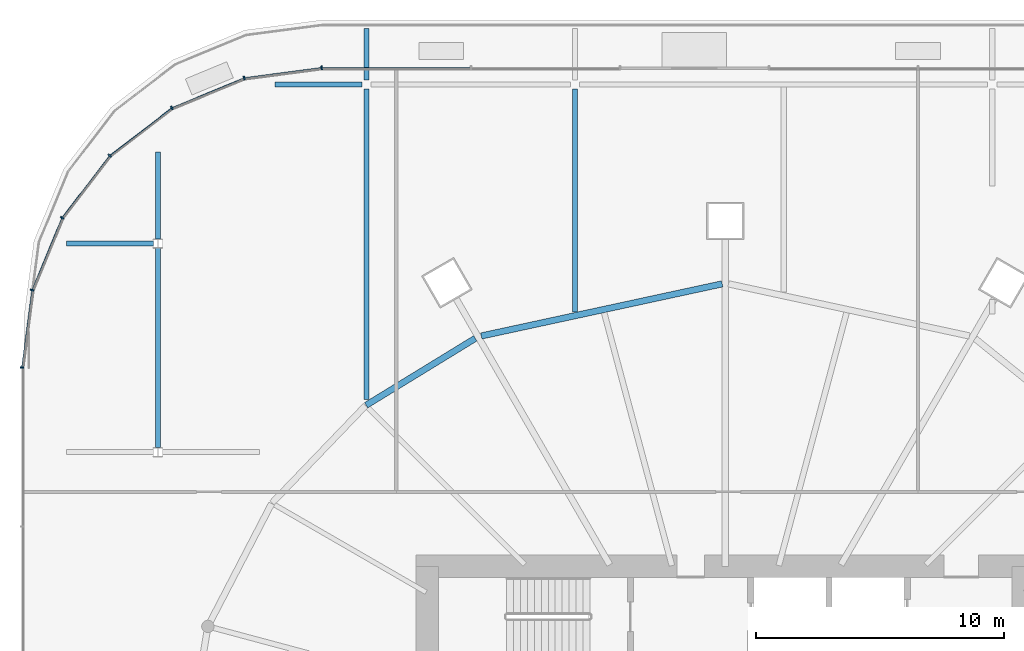
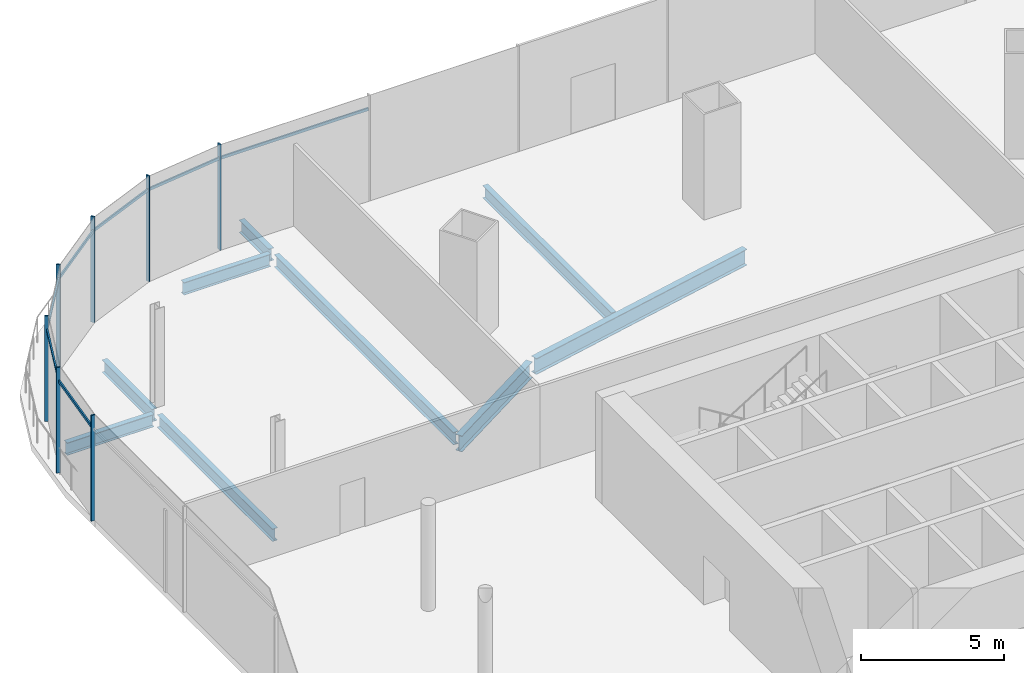
# One storey, part 17 of 52: 14 members, 9 beams, 1 element without a shape of its own.
"""IFC4 building model written with IfcOpenShell, lengths in metres."""

from ifc_helpers import new_model, si_unit, direction, frame, origin, origin_2d, place, context, subcontext, project, spatial, rectangle, i_section, extrude, material, material_profile, profile_set, type_object, element, aggregate, save


model = new_model("IFC4")

# Units and contexts
model_context = context("Model", 3, precision=1e-05, world=origin(), true_north=direction((0.0, 1.0)))
body_context = subcontext(model_context, "Body", "Model", "MODEL_VIEW")
ifc_project = project(units=[si_unit("LENGTHUNIT", "METRE"), si_unit("AREAUNIT", "SQUARE_METRE"), si_unit("VOLUMEUNIT", "CUBIC_METRE"), si_unit("PLANEANGLEUNIT", "RADIAN"), si_unit("MASSUNIT", "GRAM", prefix="KILO")], contexts=[model_context])

# Site, building, storey
site_placement = place(None, origin())
site = spatial("IfcSite", under=ifc_project, at=site_placement, CompositionType="ELEMENT")
building_placement = place(site_placement, origin())
building = spatial("IfcBuilding", under=site, at=building_placement, Name="Rimbun Link Towers", CompositionType="ELEMENT")
storey_placement = place(building_placement, frame((0.0, 0.0, 21.0)))
storey = spatial("IfcBuildingStorey", under=building, at=storey_placement, Name="L04", CompositionType="ELEMENT", Elevation=21.0)

# Curtain wall, members
ifc_material_1 = material(Name="Aluminium 6063-T6 and low-iron glass", Category="aluminium")
curtain_wall_type = type_object("IfcCurtainWallType", Name="CW3 podium shopfront", PredefinedType="NOTDEFINED", material=ifc_material_1)
curtain_wall_placement = place(storey_placement, origin())
curtain_wall = element("IfcCurtainWall", 1, at=curtain_wall_placement, inside=storey, type_object=curtain_wall_type, Name="CW3 L04 PD", PredefinedType="NOTDEFINED")
ifc_material_2 = material(Name="Aluminium 6063-T6", Category="aluminium")
ifc_material_profile_1 = material_profile(ifc_material_2, rectangle(XDim=0.14990234375, YDim=0.06005859375, at=origin_2d()), Name="MULLION 60X150")
ifc_profile_set_1 = profile_set([ifc_material_profile_1], Name="Aluminium 6063-T6")
member_type_1 = type_object("IfcMemberType", Name="CW3 mullion 60X150", PredefinedType="MULLION", material=ifc_profile_set_1)
member_1_placement = place(storey_placement, frame((-48.0048828125, 28.074951171875, 0.0), z_axis=(0.0, 0.0, 1.0), x_axis=(-0.065405288299, 0.997858781723, 0.0)))
member_1 = element("IfcMember", 2, at=member_1_placement, type_object=member_type_1, Name="CW3 mullion", PredefinedType="MULLION", context=body_context, shape_type="SweptSolid", body=[
    extrude(rectangle(XDim=0.14990234375, YDim=0.06005859375, at=origin_2d()), origin(), (0.0, 0.0, 1.0), 4.5),
])
member_2_placement = place(storey_placement, frame((-51.125244140625, 27.66357421875, 0.0), z_axis=(0.0, 0.0, 1.0), x_axis=(-0.258818729038, 0.965925910978, 0.0)))
member_2 = element("IfcMember", 3, at=member_2_placement, type_object=member_type_1, Name="CW3 mullion", PredefinedType="MULLION", context=body_context, shape_type="SweptSolid", body=[
    extrude(rectangle(XDim=0.14990234375, YDim=0.06005859375, at=origin_2d()), origin(), (0.0, 0.0, 1.0), 4.5),
])
member_3_placement = place(storey_placement, frame((-54.03759765625, 26.457275390625, 0.0), z_axis=(0.0, 0.0, 1.0), x_axis=(-0.499993701568, 0.866029040155, 0.0)))
member_3 = element("IfcMember", 4, at=member_3_placement, type_object=member_type_1, Name="CW3 mullion", PredefinedType="MULLION", context=body_context, shape_type="SweptSolid", body=[
    extrude(rectangle(XDim=0.14990234375, YDim=0.06005859375, at=origin_2d()), origin(), (0.0, 0.0, 1.0), 4.5),
])
member_4_placement = place(storey_placement, frame((-56.538330078125, 24.538330078125, 0.0), z_axis=(0.0, 0.0, 1.0), x_axis=(-0.707106781187, 0.707106781187, 0.0)))
member_4 = element("IfcMember", 5, at=member_4_placement, type_object=member_type_1, Name="CW3 mullion", PredefinedType="MULLION", context=body_context, shape_type="SweptSolid", body=[
    extrude(rectangle(XDim=0.14990234375, YDim=0.06005859375, at=origin_2d()), origin(), (0.0, 0.0, 1.0), 4.5),
])
member_5_placement = place(storey_placement, frame((-58.457275390625, 22.03759765625, 0.0), z_axis=(0.0, 0.0, 1.0), x_axis=(-0.866029040155, 0.499993701568, 0.0)))
member_5 = element("IfcMember", 6, at=member_5_placement, type_object=member_type_1, Name="CW3 mullion", PredefinedType="MULLION", context=body_context, shape_type="SweptSolid", body=[
    extrude(rectangle(XDim=0.14990234375, YDim=0.06005859375, at=origin_2d()), origin(), (0.0, 0.0, 1.0), 4.5),
])
member_6_placement = place(storey_placement, frame((-59.66357421875, 19.125244140625, 0.0), z_axis=(0.0, 0.0, 1.0), x_axis=(-0.965925910978, 0.258818729038, 0.0)))
member_6 = element("IfcMember", 7, at=member_6_placement, type_object=member_type_1, Name="CW3 mullion", PredefinedType="MULLION", context=body_context, shape_type="SweptSolid", body=[
    extrude(rectangle(XDim=0.14990234375, YDim=0.06005859375, at=origin_2d()), origin(), (0.0, 0.0, 1.0), 4.5),
])
member_7_placement = place(storey_placement, frame((-60.074951171875, 16.0048828125, 0.0), z_axis=(0.0, 0.0, 1.0), x_axis=(-0.997858781723, 0.065405288299, 0.0)))
member_7 = element("IfcMember", 8, at=member_7_placement, type_object=member_type_1, Name="CW3 mullion", PredefinedType="MULLION", context=body_context, shape_type="SweptSolid", body=[
    extrude(rectangle(XDim=0.14990234375, YDim=0.06005859375, at=origin_2d()), origin(), (0.0, 0.0, 1.0), 4.5),
])
ifc_material_3 = material(Name="Aluminium 6063-T6", Category="aluminium")
ifc_material_profile_2 = material_profile(ifc_material_3, rectangle(XDim=0.06005859375, YDim=0.1201171875, at=origin_2d()), Name="TRANSOM 60X120")
ifc_profile_set_2 = profile_set([ifc_material_profile_2], Name="Aluminium 6063-T6")
member_type_2 = type_object("IfcMemberType", Name="CW3 transom 60X120", PredefinedType="USERDEFINED", material=ifc_profile_set_2)
member_8_placement = place(storey_placement, frame((-47.969970703125, 28.053955078125, 3.89990234375), z_axis=(1.0, 0.0, 0.0), x_axis=(0.0, 1.0, 0.0)))
member_8 = element("IfcMember", 9, at=member_8_placement, type_object=member_type_2, Name="CW3 transom", ObjectType="TRANSOM", PredefinedType="USERDEFINED", context=body_context, shape_type="SweptSolid", body=[
    extrude(rectangle(XDim=0.06005859375, YDim=0.1201171875, at=origin_2d()), origin(), (0.0, 0.0, 1.0), 5.93994140625),
])
member_9_placement = place(storey_placement, frame((-51.0830078125, 27.6484375, 3.89990234375), z_axis=(0.991441037829, 0.130555231638, 0.0), x_axis=(-0.130555231638, 0.991441037829, 0.0)))
member_9 = element("IfcMember", 10, at=member_9_placement, type_object=member_type_2, Name="CW3 transom", ObjectType="TRANSOM", PredefinedType="USERDEFINED", context=body_context, shape_type="SweptSolid", body=[
    extrude(rectangle(XDim=0.06005859375, YDim=0.1201171875, at=origin_2d()), origin(), (0.0, 0.0, 1.0), 3.072509765625),
])
member_10_placement = place(storey_placement, frame((-53.992919921875, 26.45361328125, 3.89990234375), z_axis=(0.923881248716, 0.382679289053, 0.0), x_axis=(-0.382679289053, 0.923881248716, 0.0)))
member_10 = element("IfcMember", 11, at=member_10_placement, type_object=member_type_2, Name="CW3 transom", ObjectType="TRANSOM", PredefinedType="USERDEFINED", context=body_context, shape_type="SweptSolid", body=[
    extrude(rectangle(XDim=0.06005859375, YDim=0.1201171875, at=origin_2d()), origin(), (0.0, 0.0, 1.0), 3.072509765625),
])
member_11_placement = place(storey_placement, frame((-56.494384765625, 24.54638671875, 3.89990234375), z_axis=(0.793344129687, 0.608773432314, 0.0), x_axis=(-0.608773432314, 0.793344129687, 0.0)))
member_11 = element("IfcMember", 12, at=member_11_placement, type_object=member_type_2, Name="CW3 transom", ObjectType="TRANSOM", PredefinedType="USERDEFINED", context=body_context, shape_type="SweptSolid", body=[
    extrude(rectangle(XDim=0.06005859375, YDim=0.1201171875, at=origin_2d()), origin(), (0.0, 0.0, 1.0), 3.07275390625),
])
member_12_placement = place(storey_placement, frame((-58.4169921875, 22.056640625, 3.89990234375), z_axis=(0.608773432314, 0.793344129687, 0.0), x_axis=(-0.793344129687, 0.608773432314, 0.0)))
member_12 = element("IfcMember", 13, at=member_12_placement, type_object=member_type_2, Name="CW3 transom", ObjectType="TRANSOM", PredefinedType="USERDEFINED", context=body_context, shape_type="SweptSolid", body=[
    extrude(rectangle(XDim=0.06005859375, YDim=0.1201171875, at=origin_2d()), origin(), (0.0, 0.0, 1.0), 3.07275390625),
])
member_13_placement = place(storey_placement, frame((-59.62939453125, 19.154296875, 3.89990234375), z_axis=(0.382679289053, 0.923881248716, 0.0), x_axis=(-0.923881248716, 0.382679289053, 0.0)))
member_13 = element("IfcMember", 14, at=member_13_placement, type_object=member_type_2, Name="CW3 transom", ObjectType="TRANSOM", PredefinedType="USERDEFINED", context=body_context, shape_type="SweptSolid", body=[
    extrude(rectangle(XDim=0.06005859375, YDim=0.1201171875, at=origin_2d()), origin(), (0.0, 0.0, 1.0), 3.072509765625),
])
member_14_placement = place(storey_placement, frame((-60.049560546875, 16.036865234375, 3.89990234375), z_axis=(0.130555231638, 0.991441037829, 0.0), x_axis=(-0.991441037829, 0.130555231638, 0.0)))
member_14 = element("IfcMember", 15, at=member_14_placement, type_object=member_type_2, Name="CW3 transom", ObjectType="TRANSOM", PredefinedType="USERDEFINED", context=body_context, shape_type="SweptSolid", body=[
    extrude(rectangle(XDim=0.06005859375, YDim=0.1201171875, at=origin_2d()), origin(), (0.0, 0.0, 1.0), 3.072509765625),
])
aggregate(curtain_wall, [member_1, member_2, member_3, member_4, member_5, member_6, member_7, member_8, member_9, member_10, member_11, member_12, member_13, member_14])

# Beams
ifc_material_4 = material(Name="Steel S355J2", Category="steel")
ifc_material_profile_3 = material_profile(ifc_material_4, i_section(OverallWidth=0.209228515625, OverallDepth=0.533203125, WebThickness=0.010009765625, FlangeThickness=0.015625, at=origin_2d()), Name="UB 533x210x92")
ifc_profile_set_3 = profile_set([ifc_material_profile_3], Name="Steel S355J2")
beam_type_1 = type_object("IfcBeamType", Name="UB 533x210x92", PredefinedType="BEAM", material=ifc_profile_set_3)
for number, where, z_axis, x_axis, name in (
    (16, (-58.285400390625, 21.0, -0.56640625), (1.0, 0.0, 0.0), (0.0, 1.0, 0.0), "Grid beam L04 +21.0"),
    (17, (-49.88525390625, 27.39990234375, -0.56640625), (1.0, 0.0, 0.0), (0.0, 1.0, 0.0), "Grid beam L04 +27.4"),
):
    element("IfcBeam", number, at=place(storey_placement, frame(where, z_axis=z_axis, x_axis=x_axis)), inside=storey, type_object=beam_type_1, Name=name, PredefinedType="BEAM", context=body_context, shape_type="SweptSolid", body=[
        extrude(i_section(OverallWidth=0.209228515625, OverallDepth=0.533203125, WebThickness=0.010009765625, FlangeThickness=0.015625, at=origin_2d()), origin(), (0.0, 0.0, 1.0), 3.5),
    ])
beam_1_placement = place(storey_placement, frame((-54.60009765625, 12.781005859375, -0.56640625), z_axis=(0.0, 1.0, 0.0), x_axis=(-1.0, 0.0, 0.0)))
element("IfcBeam", 18, at=beam_1_placement, inside=storey, type_object=beam_type_1, Name="Grid beam L04 -54.6", PredefinedType="BEAM", context=body_context, shape_type="SweptSolid", body=[
    extrude(i_section(OverallWidth=0.209228515625, OverallDepth=0.533203125, WebThickness=0.010009765625, FlangeThickness=0.015625, at=origin_2d()), origin(), (0.0, 0.0, 1.0), 8.0380859375),
])
beam_2_placement = place(storey_placement, frame((-54.60009765625, 21.180908203125, -0.56640625), z_axis=(0.0, 1.0, 0.0), x_axis=(-1.0, 0.0, 0.0)))
element("IfcBeam", 19, at=beam_2_placement, inside=storey, type_object=beam_type_1, Name="Grid beam L04 -54.6", PredefinedType="BEAM", context=body_context, shape_type="SweptSolid", body=[
    extrude(i_section(OverallWidth=0.209228515625, OverallDepth=0.533203125, WebThickness=0.010009765625, FlangeThickness=0.015625, at=origin_2d()), origin(), (0.0, 0.0, 1.0), 3.5),
])
beam_3_placement = place(storey_placement, frame((-46.199951171875, 14.710693359375, -0.56640625), z_axis=(0.0, 1.0, 0.0), x_axis=(-1.0, 0.0, 0.0)))
element("IfcBeam", 20, at=beam_3_placement, inside=storey, type_object=beam_type_1, Name="Grid beam L04 -46.2", PredefinedType="BEAM", context=body_context, shape_type="SweptSolid", body=[
    extrude(i_section(OverallWidth=0.209228515625, OverallDepth=0.533203125, WebThickness=0.010009765625, FlangeThickness=0.015625, at=origin_2d()), origin(), (0.0, 0.0, 1.0), 12.50830078125),
])
beam_4_placement = place(storey_placement, frame((-46.199951171875, 27.5810546875, -0.56640625), z_axis=(0.0, 1.0, 0.0), x_axis=(-1.0, 0.0, 0.0)))
element("IfcBeam", 21, at=beam_4_placement, inside=storey, type_object=beam_type_1, Name="Grid beam L04 -46.2", PredefinedType="BEAM", context=body_context, shape_type="SweptSolid", body=[
    extrude(i_section(OverallWidth=0.209228515625, OverallDepth=0.533203125, WebThickness=0.010009765625, FlangeThickness=0.015625, at=origin_2d()), origin(), (0.0, 0.0, 1.0), 2.06787109375),
])
beam_5_placement = place(storey_placement, frame((-37.800048828125, 18.24755859375, -0.56640625), z_axis=(0.0, 1.0, 0.0), x_axis=(-1.0, 0.0, 0.0)))
element("IfcBeam", 22, at=beam_5_placement, inside=storey, type_object=beam_type_1, Name="Grid beam L04 -37.8", PredefinedType="BEAM", context=body_context, shape_type="SweptSolid", body=[
    extrude(i_section(OverallWidth=0.209228515625, OverallDepth=0.533203125, WebThickness=0.010009765625, FlangeThickness=0.015625, at=origin_2d()), origin(), (0.0, 0.0, 1.0), 8.971435546875),
])
ifc_material_5 = material(Name="Steel S355J2", Category="steel")
ifc_material_profile_4 = material_profile(ifc_material_5, i_section(OverallWidth=0.253662109375, OverallDepth=0.68359375, WebThickness=0.012451171875, FlangeThickness=0.01904296875, at=origin_2d()), Name="UB 686x254x140")
ifc_profile_set_4 = profile_set([ifc_material_profile_4], Name="Steel S355J2")
beam_type_2 = type_object("IfcBeamType", Name="UB 686x254x140", PredefinedType="BEAM", material=ifc_profile_set_4)
beam_6_placement = place(storey_placement, frame((-31.877685546875, 19.375244140625, -0.641845703125), z_axis=(-0.977390124833, -0.211443949734, 0.0), x_axis=(0.211443949734, -0.977390124833, 0.0)))
element("IfcBeam", 23, at=beam_6_placement, inside=storey, type_object=beam_type_2, Name="Edge beam T1 L04 06-08", PredefinedType="BEAM", context=body_context, shape_type="SweptSolid", body=[
    extrude(i_section(OverallWidth=0.253662109375, OverallDepth=0.68359375, WebThickness=0.012451171875, FlangeThickness=0.01904296875, at=origin_2d()), origin(), (0.0, 0.0, 1.0), 9.924072265625),
])
beam_7_placement = place(storey_placement, frame((-41.8203125, 17.179931640625, -0.641845703125), z_axis=(-0.852707458773, -0.522388734328, 0.0), x_axis=(0.522388734328, -0.852707458773, 0.0)))
element("IfcBeam", 24, at=beam_7_placement, inside=storey, type_object=beam_type_2, Name="Edge beam T1 L04 08", PredefinedType="BEAM", context=body_context, shape_type="SweptSolid", body=[
    extrude(i_section(OverallWidth=0.253662109375, OverallDepth=0.68359375, WebThickness=0.012451171875, FlangeThickness=0.01904296875, at=origin_2d()), origin(), (0.0, 0.0, 1.0), 5.153076171875),
])

save(model, "model.ifc")
